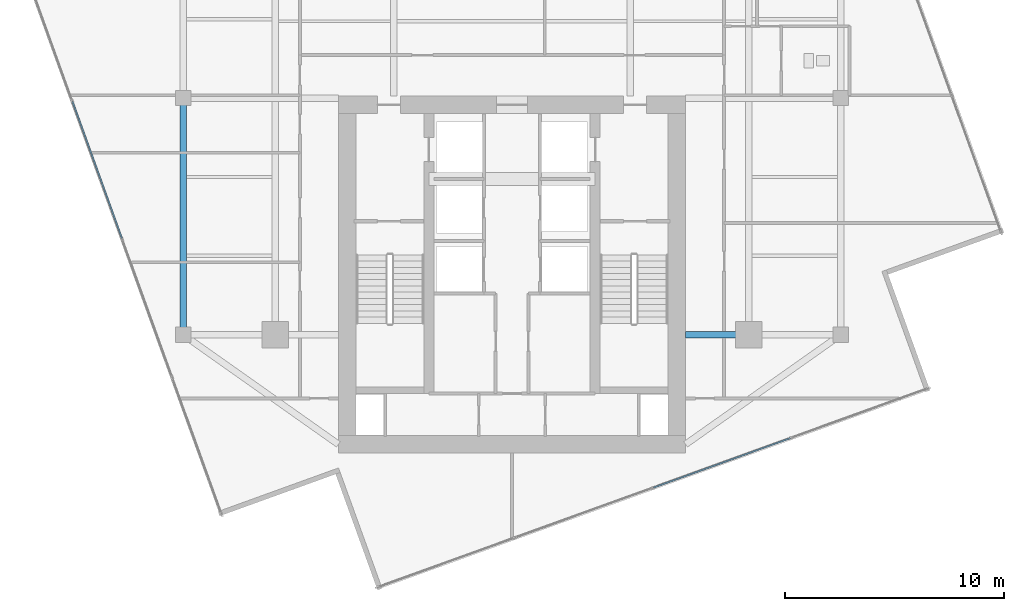
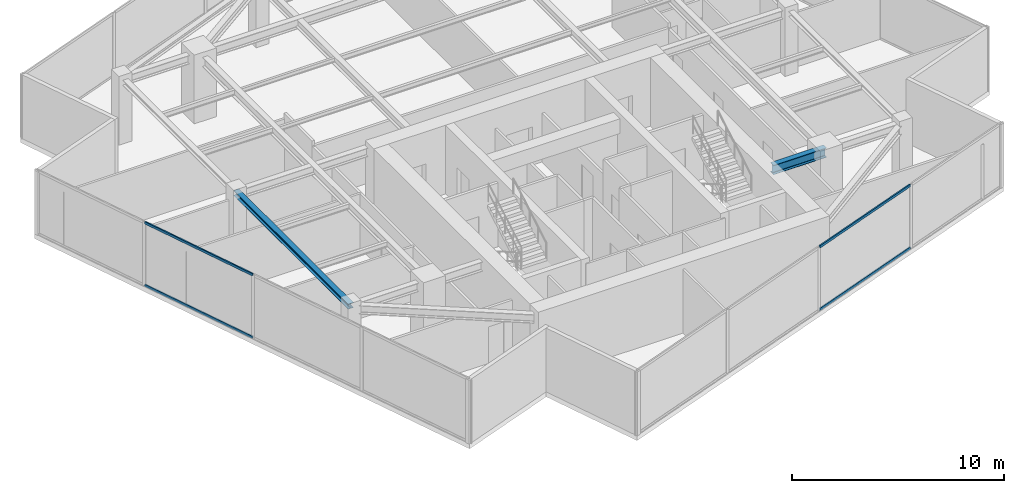
# One storey, part 4 of 21: 4 members, 2 beams, 2 elements without a shape of their own.
"""IFC4 building model written with IfcOpenShell, lengths in metres."""

from ifc_helpers import new_model, si_unit, direction, frame, origin, origin_2d, place, context, subcontext, project, spatial, hollow_rectangle, i_section, extrude, source, transform, mapped, material, material_profile, profile_set, type_object, type_shapes, element, aggregate, save


model = new_model("IFC4")

# Units and contexts
model_context = context("Model", 3, precision=1e-05, world=origin(), true_north=direction((0.0, 1.0)))
body_context = subcontext(model_context, "Body", "Model", "MODEL_VIEW")
ifc_project = project(units=[si_unit("LENGTHUNIT", "METRE"), si_unit("AREAUNIT", "SQUARE_METRE"), si_unit("VOLUMEUNIT", "CUBIC_METRE"), si_unit("PLANEANGLEUNIT", "RADIAN"), si_unit("MASSUNIT", "GRAM", prefix="KILO")], contexts=[model_context])

# Site, building, storey
site_placement = place(None, origin())
site = spatial("IfcSite", under=ifc_project, at=site_placement, CompositionType="ELEMENT")
building_placement = place(site_placement, origin())
building = spatial("IfcBuilding", under=site, at=building_placement, Name="Krantzveldt Concourse Tower", CompositionType="ELEMENT")
storey_placement = place(building_placement, frame((0.0, 0.0, 331.64990234375)))
storey = spatial("IfcBuildingStorey", under=building, at=storey_placement, Name="L81", CompositionType="ELEMENT", Elevation=331.64990234375)

# Beams
ifc_material_1 = material(Name="Steel S355JR", Category="steel")
ifc_material_profile_1 = material_profile(ifc_material_1, i_section(OverallWidth=0.300048828125, OverallDepth=0.5400390625, WebThickness=0.012451171875, FlangeThickness=0.02392578125, FilletRadius=0.027099609375, at=origin_2d()), Name="Steel S355JR", Category="steel")
ifc_profile_set_1 = profile_set([ifc_material_profile_1], Name="Steel S355JR - HEA 550")
beam_type_1 = type_object("IfcBeamType", Name="BM-B-HEA550", PredefinedType="BEAM", material=ifc_profile_set_1)
shared_shape_1 = source(origin(), body_context, "Body", "SweptSolid", [
    extrude(i_section(OverallWidth=0.300048828125, OverallDepth=0.5400390625, WebThickness=0.012451171875, FlangeThickness=0.02392578125, FilletRadius=0.027099609375, at=origin_2d()), origin(), (0.0, 0.0, 1.0), 2.880126953125),
])
type_shapes(beam_type_1, [shared_shape_1])
beam_1_placement = place(storey_placement, frame((43.919921875, 15.89990234375, 3.400146484375), z_axis=(1.0, 0.0, 0.0), x_axis=(0.0, 1.0, 0.0)))
element("IfcBeam", 1, at=beam_1_placement, inside=storey, type_object=beam_type_1, Name="L81 Tower Girder BG-CE1", PredefinedType="BEAM", context=body_context, shape_type="MappedRepresentation", body=[
    mapped(shared_shape_1, transform((0.0, 0.0, 0.0), x_axis=(1.0, 0.0, 0.0), y_axis=(0.0, 1.0, 0.0), z_axis=(0.0, 0.0, 1.0), scale=1.0)),
])
ifc_material_profile_2 = material_profile(ifc_material_1, i_section(OverallWidth=0.2900390625, OverallDepth=0.2900390625, WebThickness=0.008544921875, FlangeThickness=0.013916015625, FilletRadius=0.027099609375, at=origin_2d()), Name="Steel S355JR", Category="steel")
ifc_profile_set_2 = profile_set([ifc_material_profile_2], Name="Steel S355JR - HEA 300")
beam_type_2 = type_object("IfcBeamType", Name="BM-SP-HEA300", PredefinedType="SPANDREL", material=ifc_profile_set_2)
shared_shape_2 = source(origin(), body_context, "Body", "SweptSolid", [
    extrude(i_section(OverallWidth=0.2900390625, OverallDepth=0.2900390625, WebThickness=0.008544921875, FlangeThickness=0.013916015625, FilletRadius=0.027099609375, at=origin_2d()), origin(), (0.0, 0.0, 1.0), 10.800048828125),
])
type_shapes(beam_type_2, [shared_shape_2])
beam_2_placement = place(storey_placement, frame((21.0, 15.89990234375, 3.525146484375), z_axis=(0.0, 1.0, 0.0), x_axis=(-1.0, 0.0, 0.0)))
element("IfcBeam", 2, at=beam_2_placement, inside=storey, type_object=beam_type_2, Name="L81 Tower Girder SP-R01", PredefinedType="SPANDREL", context=body_context, shape_type="MappedRepresentation", body=[
    mapped(shared_shape_2, transform((0.0, 0.0, 0.0), x_axis=(1.0, 0.0, 0.0), y_axis=(0.0, 1.0, 0.0), z_axis=(0.0, 0.0, 1.0), scale=1.0)),
])

# Curtain wall, members
ifc_material_2 = material(Name="Anodised aluminium 6063-T6", Category="aluminium")
curtain_wall_type = type_object("IfcCurtainWallType", Name="CW4", PredefinedType="USERDEFINED", material=ifc_material_2)
curtain_wall_1_placement = place(storey_placement, origin())
curtain_wall_1 = element("IfcCurtainWall", 3, at=curtain_wall_1_placement, inside=storey, type_object=curtain_wall_type, Name="CW-L81-F04", ObjectType="UNITISED CURTAIN WALL", PredefinedType="USERDEFINED")
ifc_material_profile_3 = material_profile(ifc_material_2, hollow_rectangle(XDim=0.070068359375, YDim=0.139892578125, WallThickness=0.0048828125, at=origin_2d()), Name="Anodised aluminium 6063-T6", Category="aluminium")
ifc_profile_set_3 = profile_set([ifc_material_profile_3], Name="Anodised aluminium 6063-T6 - ALU-TRAN 140x70x5")
member_type = type_object("IfcMemberType", Name="CW-TRN-150", PredefinedType="USERDEFINED", material=ifc_profile_set_3)
shared_shape_3 = source(origin(), body_context, "Body", "SweptSolid", [
    extrude(hollow_rectangle(XDim=0.070068359375, YDim=0.139892578125, WallThickness=0.0048828125, at=origin_2d()), origin(), (0.0, 0.0, 1.0), 6.6298828125),
])
type_shapes(member_type, [shared_shape_3])
member_1_placement = place(storey_placement, frame((15.950439453125, 26.539306640625, 0.03515625), z_axis=(0.339956629823, -0.940441114499, 0.0), x_axis=(0.940441114499, 0.339956629823, 0.0)))
member_1 = element("IfcMember", 4, at=member_1_placement, type_object=member_type, Name="CW-Z56 transom 2.1", ObjectType="TRANSOM", PredefinedType="USERDEFINED", context=body_context, shape_type="MappedRepresentation", body=[
    mapped(shared_shape_3, transform((0.0, 0.0, 0.0), x_axis=(1.0, 0.0, 0.0), y_axis=(0.0, 1.0, 0.0), z_axis=(0.0, 0.0, 1.0), scale=1.0)),
])
member_2_placement = place(storey_placement, frame((15.950439453125, 26.539306640625, 3.635009765625), z_axis=(0.339956629823, -0.940441114499, 0.0), x_axis=(0.940441114499, 0.339956629823, 0.0)))
member_2 = element("IfcMember", 5, at=member_2_placement, type_object=member_type, Name="CW-Z56 transom 2.2", ObjectType="TRANSOM", PredefinedType="USERDEFINED", context=body_context, shape_type="MappedRepresentation", body=[
    mapped(shared_shape_3, transform((0.0, 0.0, 0.0), x_axis=(1.0, 0.0, 0.0), y_axis=(0.0, 1.0, 0.0), z_axis=(0.0, 0.0, 1.0), scale=1.0)),
])
aggregate(curtain_wall_1, [member_1, member_2])

curtain_wall_2_placement = place(storey_placement, origin())
curtain_wall_2 = element("IfcCurtainWall", 6, at=curtain_wall_2_placement, inside=storey, type_object=curtain_wall_type, Name="CW-L81-F07", ObjectType="UNITISED CURTAIN WALL", PredefinedType="USERDEFINED")
member_3_placement = place(storey_placement, frame((42.461669921875, 8.92822265625, 0.03515625), z_axis=(0.940441114499, 0.339956629823, 0.0), x_axis=(-0.339956629823, 0.940441114499, 0.0)))
member_3 = element("IfcMember", 7, at=member_3_placement, type_object=member_type, Name="CW-Z56 transom 3.1", ObjectType="TRANSOM", PredefinedType="USERDEFINED", context=body_context, shape_type="MappedRepresentation", body=[
    mapped(shared_shape_3, transform((0.0, 0.0, 0.0), x_axis=(1.0, 0.0, 0.0), y_axis=(0.0, 1.0, 0.0), z_axis=(0.0, 0.0, 1.0), scale=1.0)),
])
member_4_placement = place(storey_placement, frame((42.461669921875, 8.92822265625, 3.635009765625), z_axis=(0.940441114499, 0.339956629823, 0.0), x_axis=(-0.339956629823, 0.940441114499, 0.0)))
member_4 = element("IfcMember", 8, at=member_4_placement, type_object=member_type, Name="CW-Z56 transom 3.2", ObjectType="TRANSOM", PredefinedType="USERDEFINED", context=body_context, shape_type="MappedRepresentation", body=[
    mapped(shared_shape_3, transform((0.0, 0.0, 0.0), x_axis=(1.0, 0.0, 0.0), y_axis=(0.0, 1.0, 0.0), z_axis=(0.0, 0.0, 1.0), scale=1.0)),
])
aggregate(curtain_wall_2, [member_3, member_4])

save(model, "model.ifc")
